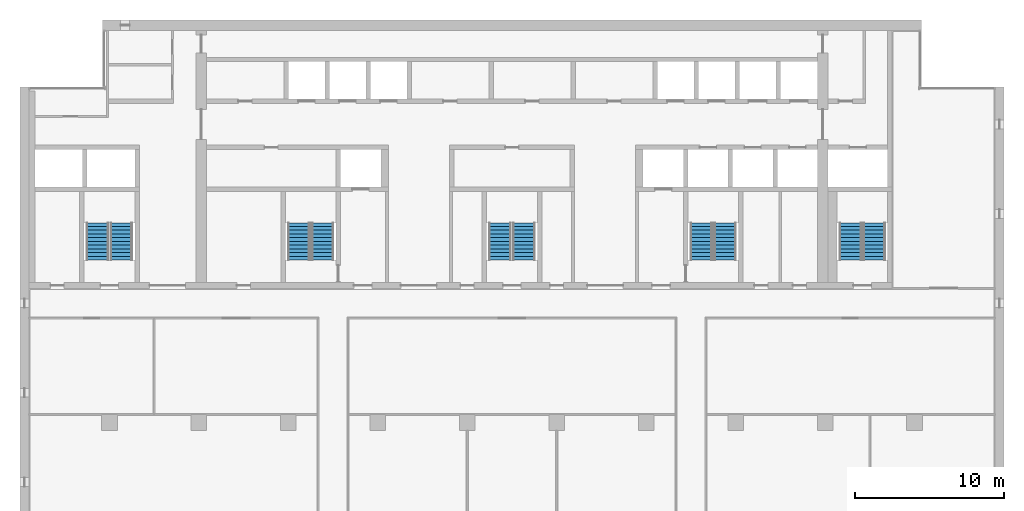
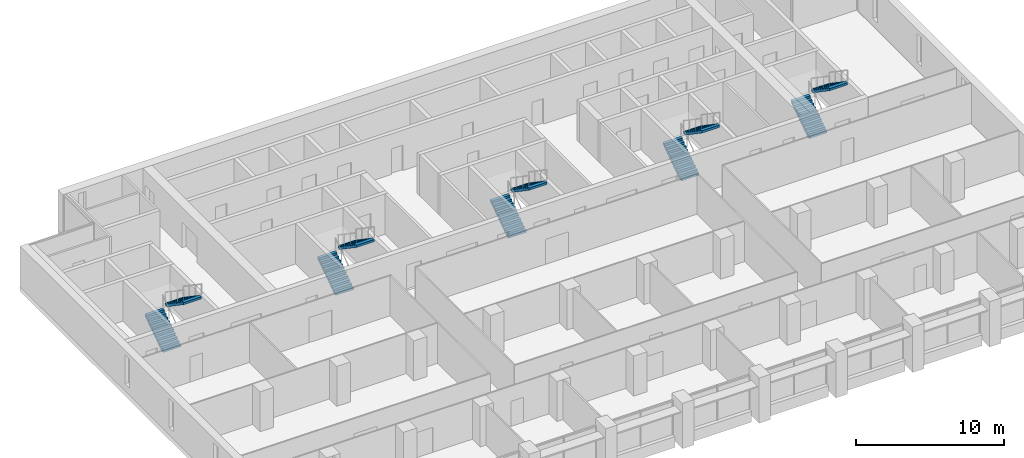
# One storey, part 13 of 17: 10 stair flights, 5 elements without a shape of their own.
"""IFC4 building model written with IfcOpenShell, lengths in metres."""

from ifc_helpers import new_model, si_unit, direction, frame, origin, place, context, subcontext, project, spatial, polyline, outline, extrude, material, type_object, element, aggregate, save


model = new_model("IFC4")

# Units and contexts
model_context = context("Model", 3, precision=1e-05, world=origin(), true_north=direction((0.0, 1.0)))
body_context = subcontext(model_context, "Body", "Model", "MODEL_VIEW")
ifc_project = project(units=[si_unit("LENGTHUNIT", "METRE"), si_unit("AREAUNIT", "SQUARE_METRE"), si_unit("VOLUMEUNIT", "CUBIC_METRE"), si_unit("PLANEANGLEUNIT", "RADIAN"), si_unit("MASSUNIT", "GRAM", prefix="KILO")], contexts=[model_context])

# Site, building, storey
site_placement = place(None, origin())
site = spatial("IfcSite", under=ifc_project, at=site_placement, CompositionType="ELEMENT")
building_placement = place(site_placement, origin())
building = spatial("IfcBuilding", under=site, at=building_placement, Name="Calvaro Tower", CompositionType="ELEMENT")
storey_placement = place(building_placement, frame((0.0, 0.0, 200.5)))
storey = spatial("IfcBuildingStorey", under=building, at=storey_placement, Name="L50", CompositionType="ELEMENT", Elevation=200.5)

# Stair, stair flights
ifc_material_1 = material(Name="Concrete C40/50", Category="concrete")
stair_type = type_object("IfcStairType", Name="Exit stair 1400 2 flights", PredefinedType="HALF_TURN_STAIR", material=ifc_material_1)
stair_1_placement = place(storey_placement, origin())
stair_1 = element("IfcStair", 1, at=stair_1_placement, inside=storey, type_object=stair_type, Name="Exit stair S1", PredefinedType="HALF_TURN_STAIR")
ifc_material_2 = material(Name="Concrete C40/50", Category="concrete")
stair_flight_type = type_object("IfcStairFlightType", Name="Stair flight", PredefinedType="STRAIGHT", material=ifc_material_2)
stair_flight_1_placement = place(storey_placement, frame((11.199951171875, 29.89990234375, 0.0), z_axis=(0.0, 0.0, 1.0), x_axis=(0.0, 1.0, 0.0)))
stair_flight_1 = element("IfcStairFlight", 2, at=stair_flight_1_placement, type_object=stair_flight_type, Name="Exit stair 1, flight 1", NumberOfRisers=11, NumberOfTreads=10, PredefinedType="STRAIGHT", RiserHeight=0.170454545, TreadLength=0.25, context=body_context, shape_type="SweptSolid", body=[
    extrude(outline(polyline([(0.0, 0.0), (0.0, 0.17041015625), (0.25, 0.17041015625), (0.25, 0.3408203125), (0.5, 0.3408203125), (0.5, 0.511474609375), (0.75, 0.511474609375), (0.75, 0.681884765625), (1.0, 0.681884765625), (1.0, 0.852294921875), (1.25, 0.852294921875), (1.25, 1.022705078125), (1.5, 1.022705078125), (1.5, 1.193115234375), (1.75, 1.193115234375), (1.75, 1.363525390625), (2.0, 1.363525390625), (2.0, 1.5341796875), (2.25, 1.5341796875), (2.25, 1.70458984375), (2.5, 1.70458984375), (2.5, 1.875), (2.5, 1.523193359375), (0.26611328125, 0.0), (0.0, 0.0)])), frame((0.0, 0.699951171875, 0.0), z_axis=(0.0, -1.0, 0.0), x_axis=(1.0, 0.0, 0.0)), (0.0, 0.0, 1.0), 1.39990234375),
])
stair_flight_2_placement = place(storey_placement, frame((12.800048828125, 32.39990234375, 1.875), z_axis=(0.0, 0.0, 1.0), x_axis=(0.0, -1.0, 0.0)))
stair_flight_2 = element("IfcStairFlight", 3, at=stair_flight_2_placement, type_object=stair_flight_type, Name="Exit stair 1, flight 2", NumberOfRisers=11, NumberOfTreads=10, PredefinedType="STRAIGHT", RiserHeight=0.170454545, TreadLength=0.25, context=body_context, shape_type="SweptSolid", body=[
    extrude(outline(polyline([(0.0, 0.0), (0.0, 0.17041015625), (0.25, 0.17041015625), (0.25, 0.3408203125), (0.5, 0.3408203125), (0.5, 0.511474609375), (0.75, 0.511474609375), (0.75, 0.681884765625), (1.0, 0.681884765625), (1.0, 0.852294921875), (1.25, 0.852294921875), (1.25, 1.022705078125), (1.5, 1.022705078125), (1.5, 1.193115234375), (1.75, 1.193115234375), (1.75, 1.363525390625), (2.0, 1.363525390625), (2.0, 1.5341796875), (2.25, 1.5341796875), (2.25, 1.70458984375), (2.5, 1.70458984375), (2.5, 1.875), (2.5, 1.523193359375), (0.26611328125, 0.0), (0.0, 0.0)])), frame((0.0, 0.699951171875, 0.0), z_axis=(0.0, -1.0, 0.0), x_axis=(1.0, 0.0, 0.0)), (0.0, 0.0, 1.0), 1.39990234375),
])
aggregate(stair_1, [stair_flight_1, stair_flight_2])

stair_2_placement = place(storey_placement, origin())
stair_2 = element("IfcStair", 4, at=stair_2_placement, inside=storey, type_object=stair_type, Name="Exit stair S2", PredefinedType="HALF_TURN_STAIR")
stair_flight_3_placement = place(storey_placement, frame((24.699951171875, 29.89990234375, 0.0), z_axis=(0.0, 0.0, 1.0), x_axis=(0.0, 1.0, 0.0)))
stair_flight_3 = element("IfcStairFlight", 5, at=stair_flight_3_placement, type_object=stair_flight_type, Name="Exit stair 2, flight 1", NumberOfRisers=11, NumberOfTreads=10, PredefinedType="STRAIGHT", RiserHeight=0.170454545, TreadLength=0.25, context=body_context, shape_type="SweptSolid", body=[
    extrude(outline(polyline([(0.0, 0.0), (0.0, 0.17041015625), (0.25, 0.17041015625), (0.25, 0.3408203125), (0.5, 0.3408203125), (0.5, 0.511474609375), (0.75, 0.511474609375), (0.75, 0.681884765625), (1.0, 0.681884765625), (1.0, 0.852294921875), (1.25, 0.852294921875), (1.25, 1.022705078125), (1.5, 1.022705078125), (1.5, 1.193115234375), (1.75, 1.193115234375), (1.75, 1.363525390625), (2.0, 1.363525390625), (2.0, 1.5341796875), (2.25, 1.5341796875), (2.25, 1.70458984375), (2.5, 1.70458984375), (2.5, 1.875), (2.5, 1.523193359375), (0.26611328125, 0.0), (0.0, 0.0)])), frame((0.0, 0.699951171875, 0.0), z_axis=(0.0, -1.0, 0.0), x_axis=(1.0, 0.0, 0.0)), (0.0, 0.0, 1.0), 1.39990234375),
])
stair_flight_4_placement = place(storey_placement, frame((26.300048828125, 32.39990234375, 1.875), z_axis=(0.0, 0.0, 1.0), x_axis=(0.0, -1.0, 0.0)))
stair_flight_4 = element("IfcStairFlight", 6, at=stair_flight_4_placement, type_object=stair_flight_type, Name="Exit stair 2, flight 2", NumberOfRisers=11, NumberOfTreads=10, PredefinedType="STRAIGHT", RiserHeight=0.170454545, TreadLength=0.25, context=body_context, shape_type="SweptSolid", body=[
    extrude(outline(polyline([(0.0, 0.0), (0.0, 0.17041015625), (0.25, 0.17041015625), (0.25, 0.3408203125), (0.5, 0.3408203125), (0.5, 0.511474609375), (0.75, 0.511474609375), (0.75, 0.681884765625), (1.0, 0.681884765625), (1.0, 0.852294921875), (1.25, 0.852294921875), (1.25, 1.022705078125), (1.5, 1.022705078125), (1.5, 1.193115234375), (1.75, 1.193115234375), (1.75, 1.363525390625), (2.0, 1.363525390625), (2.0, 1.5341796875), (2.25, 1.5341796875), (2.25, 1.70458984375), (2.5, 1.70458984375), (2.5, 1.875), (2.5, 1.523193359375), (0.26611328125, 0.0), (0.0, 0.0)])), frame((0.0, 0.699951171875, 0.0), z_axis=(0.0, -1.0, 0.0), x_axis=(1.0, 0.0, 0.0)), (0.0, 0.0, 1.0), 1.39990234375),
])
aggregate(stair_2, [stair_flight_3, stair_flight_4])

stair_3_placement = place(storey_placement, origin())
stair_3 = element("IfcStair", 7, at=stair_3_placement, inside=storey, type_object=stair_type, Name="Exit stair S3", PredefinedType="HALF_TURN_STAIR")
stair_flight_5_placement = place(storey_placement, frame((38.199951171875, 29.89990234375, 0.0), z_axis=(0.0, 0.0, 1.0), x_axis=(0.0, 1.0, 0.0)))
stair_flight_5 = element("IfcStairFlight", 8, at=stair_flight_5_placement, type_object=stair_flight_type, Name="Exit stair 3, flight 1", NumberOfRisers=11, NumberOfTreads=10, PredefinedType="STRAIGHT", RiserHeight=0.170454545, TreadLength=0.25, context=body_context, shape_type="SweptSolid", body=[
    extrude(outline(polyline([(0.0, 0.0), (0.0, 0.17041015625), (0.25, 0.17041015625), (0.25, 0.3408203125), (0.5, 0.3408203125), (0.5, 0.511474609375), (0.75, 0.511474609375), (0.75, 0.681884765625), (1.0, 0.681884765625), (1.0, 0.852294921875), (1.25, 0.852294921875), (1.25, 1.022705078125), (1.5, 1.022705078125), (1.5, 1.193115234375), (1.75, 1.193115234375), (1.75, 1.363525390625), (2.0, 1.363525390625), (2.0, 1.5341796875), (2.25, 1.5341796875), (2.25, 1.70458984375), (2.5, 1.70458984375), (2.5, 1.875), (2.5, 1.523193359375), (0.26611328125, 0.0), (0.0, 0.0)])), frame((0.0, 0.699951171875, 0.0), z_axis=(0.0, -1.0, 0.0), x_axis=(1.0, 0.0, 0.0)), (0.0, 0.0, 1.0), 1.39990234375),
])
stair_flight_6_placement = place(storey_placement, frame((39.800048828125, 32.39990234375, 1.875), z_axis=(0.0, 0.0, 1.0), x_axis=(0.0, -1.0, 0.0)))
stair_flight_6 = element("IfcStairFlight", 9, at=stair_flight_6_placement, type_object=stair_flight_type, Name="Exit stair 3, flight 2", NumberOfRisers=11, NumberOfTreads=10, PredefinedType="STRAIGHT", RiserHeight=0.170454545, TreadLength=0.25, context=body_context, shape_type="SweptSolid", body=[
    extrude(outline(polyline([(0.0, 0.0), (0.0, 0.17041015625), (0.25, 0.17041015625), (0.25, 0.3408203125), (0.5, 0.3408203125), (0.5, 0.511474609375), (0.75, 0.511474609375), (0.75, 0.681884765625), (1.0, 0.681884765625), (1.0, 0.852294921875), (1.25, 0.852294921875), (1.25, 1.022705078125), (1.5, 1.022705078125), (1.5, 1.193115234375), (1.75, 1.193115234375), (1.75, 1.363525390625), (2.0, 1.363525390625), (2.0, 1.5341796875), (2.25, 1.5341796875), (2.25, 1.70458984375), (2.5, 1.70458984375), (2.5, 1.875), (2.5, 1.523193359375), (0.26611328125, 0.0), (0.0, 0.0)])), frame((0.0, 0.699951171875, 0.0), z_axis=(0.0, -1.0, 0.0), x_axis=(1.0, 0.0, 0.0)), (0.0, 0.0, 1.0), 1.39990234375),
])
aggregate(stair_3, [stair_flight_5, stair_flight_6])

stair_4_placement = place(storey_placement, origin())
stair_4 = element("IfcStair", 10, at=stair_4_placement, inside=storey, type_object=stair_type, Name="Exit stair S4", PredefinedType="HALF_TURN_STAIR")
stair_flight_7_placement = place(storey_placement, frame((51.699951171875, 29.89990234375, 0.0), z_axis=(0.0, 0.0, 1.0), x_axis=(0.0, 1.0, 0.0)))
stair_flight_7 = element("IfcStairFlight", 11, at=stair_flight_7_placement, type_object=stair_flight_type, Name="Exit stair 4, flight 1", NumberOfRisers=11, NumberOfTreads=10, PredefinedType="STRAIGHT", RiserHeight=0.170454545, TreadLength=0.25, context=body_context, shape_type="SweptSolid", body=[
    extrude(outline(polyline([(0.0, 0.0), (0.0, 0.17041015625), (0.25, 0.17041015625), (0.25, 0.3408203125), (0.5, 0.3408203125), (0.5, 0.511474609375), (0.75, 0.511474609375), (0.75, 0.681884765625), (1.0, 0.681884765625), (1.0, 0.852294921875), (1.25, 0.852294921875), (1.25, 1.022705078125), (1.5, 1.022705078125), (1.5, 1.193115234375), (1.75, 1.193115234375), (1.75, 1.363525390625), (2.0, 1.363525390625), (2.0, 1.5341796875), (2.25, 1.5341796875), (2.25, 1.70458984375), (2.5, 1.70458984375), (2.5, 1.875), (2.5, 1.523193359375), (0.26611328125, 0.0), (0.0, 0.0)])), frame((0.0, 0.699951171875, 0.0), z_axis=(0.0, -1.0, 0.0), x_axis=(1.0, 0.0, 0.0)), (0.0, 0.0, 1.0), 1.39990234375),
])
stair_flight_8_placement = place(storey_placement, frame((53.300048828125, 32.39990234375, 1.875), z_axis=(0.0, 0.0, 1.0), x_axis=(0.0, -1.0, 0.0)))
stair_flight_8 = element("IfcStairFlight", 12, at=stair_flight_8_placement, type_object=stair_flight_type, Name="Exit stair 4, flight 2", NumberOfRisers=11, NumberOfTreads=10, PredefinedType="STRAIGHT", RiserHeight=0.170454545, TreadLength=0.25, context=body_context, shape_type="SweptSolid", body=[
    extrude(outline(polyline([(0.0, 0.0), (0.0, 0.17041015625), (0.25, 0.17041015625), (0.25, 0.3408203125), (0.5, 0.3408203125), (0.5, 0.511474609375), (0.75, 0.511474609375), (0.75, 0.681884765625), (1.0, 0.681884765625), (1.0, 0.852294921875), (1.25, 0.852294921875), (1.25, 1.022705078125), (1.5, 1.022705078125), (1.5, 1.193115234375), (1.75, 1.193115234375), (1.75, 1.363525390625), (2.0, 1.363525390625), (2.0, 1.5341796875), (2.25, 1.5341796875), (2.25, 1.70458984375), (2.5, 1.70458984375), (2.5, 1.875), (2.5, 1.523193359375), (0.26611328125, 0.0), (0.0, 0.0)])), frame((0.0, 0.699951171875, 0.0), z_axis=(0.0, -1.0, 0.0), x_axis=(1.0, 0.0, 0.0)), (0.0, 0.0, 1.0), 1.39990234375),
])
aggregate(stair_4, [stair_flight_7, stair_flight_8])

stair_5_placement = place(storey_placement, origin())
stair_5 = element("IfcStair", 13, at=stair_5_placement, inside=storey, type_object=stair_type, Name="Exit stair S5", PredefinedType="HALF_TURN_STAIR")
stair_flight_9_placement = place(storey_placement, frame((61.699951171875, 29.89990234375, 0.0), z_axis=(0.0, 0.0, 1.0), x_axis=(0.0, 1.0, 0.0)))
stair_flight_9 = element("IfcStairFlight", 14, at=stair_flight_9_placement, type_object=stair_flight_type, Name="Exit stair 5, flight 1", NumberOfRisers=11, NumberOfTreads=10, PredefinedType="STRAIGHT", RiserHeight=0.170454545, TreadLength=0.25, context=body_context, shape_type="SweptSolid", body=[
    extrude(outline(polyline([(0.0, 0.0), (0.0, 0.17041015625), (0.25, 0.17041015625), (0.25, 0.3408203125), (0.5, 0.3408203125), (0.5, 0.511474609375), (0.75, 0.511474609375), (0.75, 0.681884765625), (1.0, 0.681884765625), (1.0, 0.852294921875), (1.25, 0.852294921875), (1.25, 1.022705078125), (1.5, 1.022705078125), (1.5, 1.193115234375), (1.75, 1.193115234375), (1.75, 1.363525390625), (2.0, 1.363525390625), (2.0, 1.5341796875), (2.25, 1.5341796875), (2.25, 1.70458984375), (2.5, 1.70458984375), (2.5, 1.875), (2.5, 1.523193359375), (0.26611328125, 0.0), (0.0, 0.0)])), frame((0.0, 0.699951171875, 0.0), z_axis=(0.0, -1.0, 0.0), x_axis=(1.0, 0.0, 0.0)), (0.0, 0.0, 1.0), 1.39990234375),
])
stair_flight_10_placement = place(storey_placement, frame((63.300048828125, 32.39990234375, 1.875), z_axis=(0.0, 0.0, 1.0), x_axis=(0.0, -1.0, 0.0)))
stair_flight_10 = element("IfcStairFlight", 15, at=stair_flight_10_placement, type_object=stair_flight_type, Name="Exit stair 5, flight 2", NumberOfRisers=11, NumberOfTreads=10, PredefinedType="STRAIGHT", RiserHeight=0.170454545, TreadLength=0.25, context=body_context, shape_type="SweptSolid", body=[
    extrude(outline(polyline([(0.0, 0.0), (0.0, 0.17041015625), (0.25, 0.17041015625), (0.25, 0.3408203125), (0.5, 0.3408203125), (0.5, 0.511474609375), (0.75, 0.511474609375), (0.75, 0.681884765625), (1.0, 0.681884765625), (1.0, 0.852294921875), (1.25, 0.852294921875), (1.25, 1.022705078125), (1.5, 1.022705078125), (1.5, 1.193115234375), (1.75, 1.193115234375), (1.75, 1.363525390625), (2.0, 1.363525390625), (2.0, 1.5341796875), (2.25, 1.5341796875), (2.25, 1.70458984375), (2.5, 1.70458984375), (2.5, 1.875), (2.5, 1.523193359375), (0.26611328125, 0.0), (0.0, 0.0)])), frame((0.0, 0.699951171875, 0.0), z_axis=(0.0, -1.0, 0.0), x_axis=(1.0, 0.0, 0.0)), (0.0, 0.0, 1.0), 1.39990234375),
])
aggregate(stair_5, [stair_flight_9, stair_flight_10])

save(model, "model.ifc")
